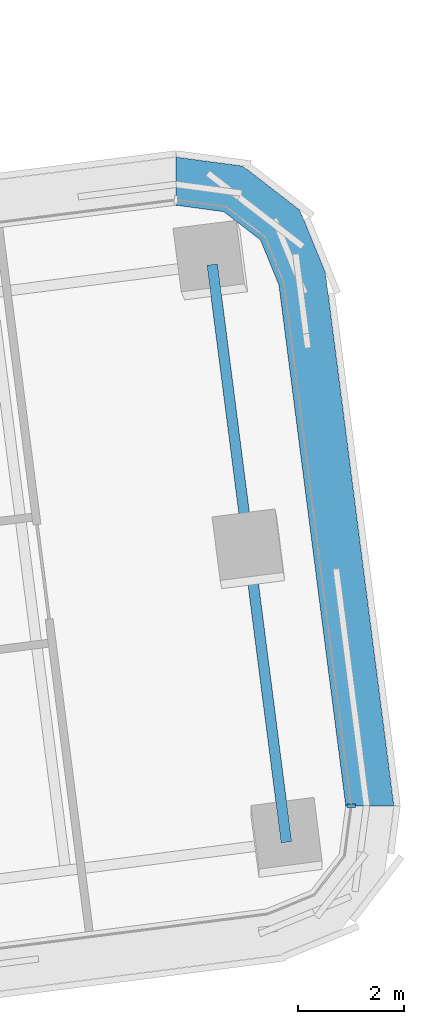
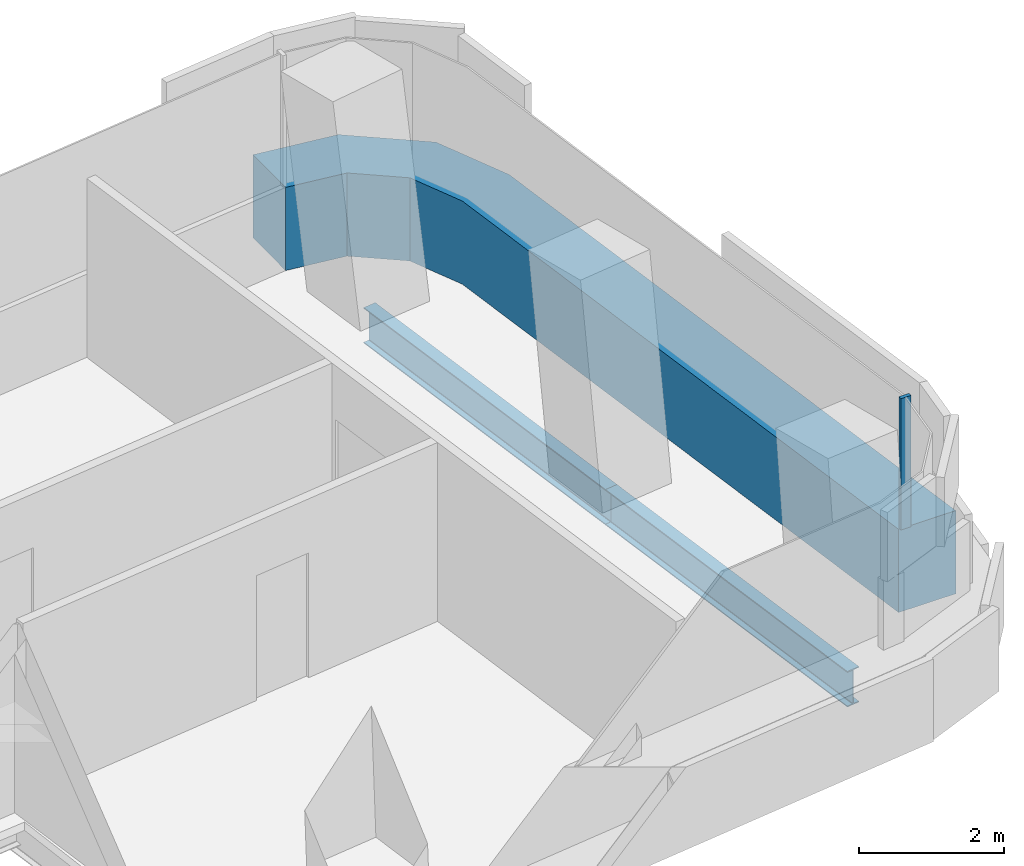
# One storey, part 12 of 31: 2 beams, 2 members, 1 element without a shape of its own.
"""IFC4 building model written with IfcOpenShell, lengths in metres."""

from ifc_helpers import new_model, si_unit, direction, frame, origin, origin_2d, place, context, subcontext, project, spatial, polyline, rectangle, i_section, outline, extrude, material, layer, layer_set, material_profile, profile_set, type_object, element, aggregate, save


model = new_model("IFC4")

# Units and contexts
model_context = context("Model", 3, precision=1e-05, world=origin(), true_north=direction((0.0, 1.0)))
body_context = subcontext(model_context, "Body", "Model", "MODEL_VIEW")
ifc_project = project(units=[si_unit("LENGTHUNIT", "METRE"), si_unit("AREAUNIT", "SQUARE_METRE"), si_unit("VOLUMEUNIT", "CUBIC_METRE"), si_unit("PLANEANGLEUNIT", "RADIAN"), si_unit("MASSUNIT", "GRAM", prefix="KILO")], contexts=[model_context])

# Site, building, storey
site_placement = place(None, origin())
site = spatial("IfcSite", under=ifc_project, at=site_placement, CompositionType="ELEMENT")
building_placement = place(site_placement, origin())
building = spatial("IfcBuilding", under=site, at=building_placement, Name="Tamarind Cross Interchange Tower", CompositionType="ELEMENT")
storey_placement = place(building_placement, frame((0.0, 0.0, 60.25)))
storey = spatial("IfcBuildingStorey", under=building, at=storey_placement, Name="L13", CompositionType="ELEMENT", Elevation=60.25)

# Beams
ifc_material_1 = material(Name="Steel Q355B", Category="steel")
ifc_material_profile_1 = material_profile(ifc_material_1, i_section(OverallWidth=0.199951171875, OverallDepth=0.60009765625, WebThickness=0.010986328125, FlangeThickness=0.01708984375, FilletRadius=0.012939453125, at=origin_2d()), Name="HN 600x200x11x17")
ifc_profile_set_1 = profile_set([ifc_material_profile_1], Name="Steel Q355B")
beam_type = type_object("IfcBeamType", Name="Composite beam HN 600x200x11x17 Q355B", PredefinedType="BEAM", material=ifc_profile_set_1)
beam_1_placement = place(storey_placement, frame((48.199951171875, -2.182373046875, -0.43994140625), z_axis=(-0.127268458542, 0.991868307519, 0.0), x_axis=(-0.991868307519, -0.127268458542, 0.0)))
element("IfcBeam", 1, at=beam_1_placement, inside=storey, type_object=beam_type, Name="Beam E-tip0", PredefinedType="BEAM", context=body_context, shape_type="SweptSolid", body=[
    extrude(i_section(OverallWidth=0.199951171875, OverallDepth=0.60009765625, WebThickness=0.010986328125, FlangeThickness=0.01708984375, FilletRadius=0.012939453125, at=origin_2d()), origin(), (0.0, 0.0, 1.0), 5.499755859375),
])
beam_2_placement = place(storey_placement, frame((47.5, 3.272705078125, -0.43994140625), z_axis=(-0.12730652475, 0.991863422431, 0.0), x_axis=(-0.991863422431, -0.12730652475, 0.0)))
element("IfcBeam", 2, at=beam_2_placement, inside=storey, type_object=beam_type, Name="Beam E-tip1", PredefinedType="BEAM", context=body_context, shape_type="SweptSolid", body=[
    extrude(i_section(OverallWidth=0.199951171875, OverallDepth=0.60009765625, WebThickness=0.010986328125, FlangeThickness=0.01708984375, FilletRadius=0.012939453125, at=origin_2d()), origin(), (0.0, 0.0, 1.0), 5.5),
])

# Curtain wall, members
ifc_material_2 = material(Name="Aluminium 6063-T6", Category="aluminium")
ifc_layer = layer(ifc_material_2, 0.159912109375)
ifc_layer_set = layer_set([ifc_layer], Name="Aluminium 6063-T6")
curtain_wall_type = type_object("IfcCurtainWallType", Name="Office curtain wall, 9.0 m bays", PredefinedType="NOTDEFINED", material=ifc_layer_set)
curtain_wall_placement = place(storey_placement, origin())
curtain_wall = element("IfcCurtainWall", 3, at=curtain_wall_placement, inside=storey, type_object=curtain_wall_type, Name="CWS-L13-08", PredefinedType="NOTDEFINED")
ifc_material_3 = material(Name="Aluminium and insulated spandrel panel", Category="aluminium")
member_type_1 = type_object("IfcMemberType", Name="Floor-edge blade transom", PredefinedType="USERDEFINED", material=ifc_material_3)
member_1_placement = place(storey_placement, origin())
member_1 = element("IfcMember", 4, at=member_1_placement, type_object=member_type_1, Name="CWT-L13-08", ObjectType="TRANSOM", PredefinedType="USERDEFINED", context=body_context, shape_type="SweptSolid", body=[
    extrude(outline(polyline([(49.321533203125, -1.49462890625), (48.05859375, 8.345703125), (47.711181640625, 9.192626953125), (47.01904296875, 9.72705078125), (46.11181640625, 9.849609375), (46.115234375, 10.75732421875), (47.37841796875, 10.5869140625), (48.4521484375, 9.75732421875), (48.936279296875, 8.577880859375), (50.229248046875, -1.49755859375), (49.321533203125, -1.49462890625)])), origin(), (0.0, 0.0, 1.0), 1.39990234375),
])
ifc_material_profile_2 = material_profile(ifc_material_2, rectangle(XDim=0.06005859375, YDim=0.159912109375, at=origin_2d()), Name="Mullion CW1")
ifc_profile_set_2 = profile_set([ifc_material_profile_2], Name="Aluminium 6063-T6")
member_type_2 = type_object("IfcMemberType", Name="Mullion CW1", PredefinedType="MULLION", material=ifc_profile_set_2)
member_2_placement = place(storey_placement, frame((49.42236328125, -1.494873046875, 1.39990234375), z_axis=(0.0, 0.0, 1.0), x_axis=(0.003253287987, 0.999994708045, 0.0)))
member_2 = element("IfcMember", 5, at=member_2_placement, type_object=member_type_2, Name="CWM-L13-08-00", PredefinedType="MULLION", context=body_context, shape_type="SweptSolid", body=[
    extrude(rectangle(XDim=0.06005859375, YDim=0.159912109375, at=origin_2d()), origin(), (0.0, 0.0, 1.0), 2.210205078125),
])
aggregate(curtain_wall, [member_2, member_1])

save(model, "model.ifc")
